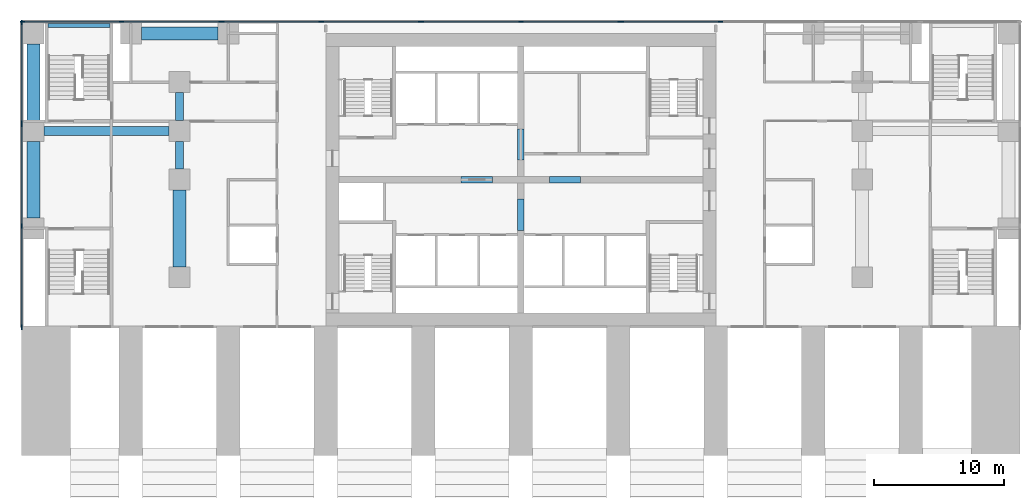
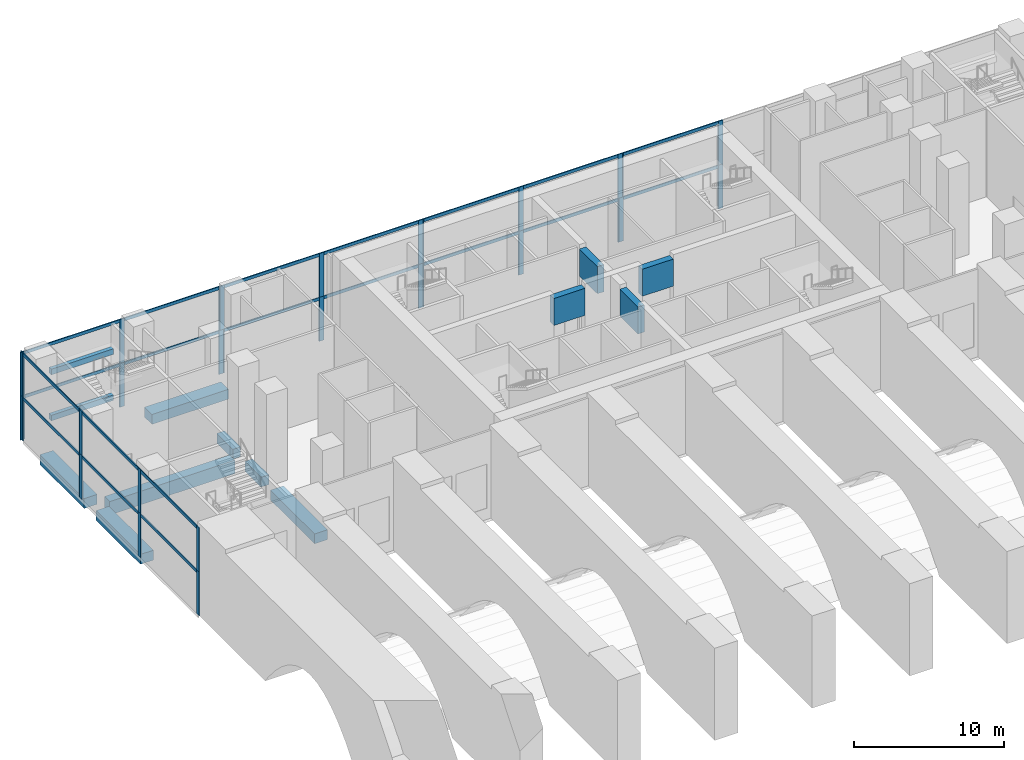
# One storey, part 2 of 15: 52 members, 13 beams, 12 elements without a shape of their own.
"""IFC4 building model written with IfcOpenShell, lengths in metres."""

from ifc_helpers import new_model, si_unit, direction, frame, origin, origin_2d, place, context, subcontext, project, spatial, rectangle, extrude, material, material_profile, profile_set, type_object, element, aggregate, save


model = new_model("IFC4")

# Units and contexts
model_context = context("Model", 3, precision=1e-05, world=origin(), true_north=direction((0.0, 1.0)))
body_context = subcontext(model_context, "Body", "Model", "MODEL_VIEW")
ifc_project = project(units=[si_unit("LENGTHUNIT", "METRE"), si_unit("AREAUNIT", "SQUARE_METRE"), si_unit("VOLUMEUNIT", "CUBIC_METRE"), si_unit("PLANEANGLEUNIT", "RADIAN"), si_unit("MASSUNIT", "GRAM", prefix="KILO")], contexts=[model_context])

# Site, building, storey
site_placement = place(None, origin())
site = spatial("IfcSite", under=ifc_project, at=site_placement, CompositionType="ELEMENT")
building_placement = place(site_placement, origin())
building = spatial("IfcBuilding", under=site, at=building_placement, Name="Pilkhan Gate Tower", CompositionType="ELEMENT")
storey_placement = place(building_placement, frame((0.0, 0.0, 16.5)))
storey = spatial("IfcBuildingStorey", under=building, at=storey_placement, Name="L02", CompositionType="ELEMENT", Elevation=16.5)

# Beams
ifc_material_1 = material(Name="Concrete C70/85", Category="concrete")
ifc_material_profile_1 = material_profile(ifc_material_1, rectangle(XDim=0.5, YDim=2.199951171875, at=origin_2d()), Name="RC 500x2200")
ifc_profile_set_1 = profile_set([ifc_material_profile_1], Name="Concrete C70/85")
beam_type_1 = type_object("IfcBeamType", Name="Coupling beam CB220 RC 500x2200 C70/85", PredefinedType="LINTEL", material=ifc_profile_set_1)
for number, where, z_axis, x_axis, name in (
    (1, (70.39990234375, 82.5, 6.050048828125), (1.0, 0.0, 0.0), (0.0, 1.0, 0.0), "Coupling beam 1 L02"),
    (2, (77.199951171875, 82.5, 6.050048828125), (1.0, 0.0, 0.0), (0.0, 1.0, 0.0), "Coupling beam 2 L02"),
):
    element("IfcBeam", number, at=place(storey_placement, frame(where, z_axis=z_axis, x_axis=x_axis)), inside=storey, type_object=beam_type_1, Name=name, PredefinedType="LINTEL", context=body_context, shape_type="SweptSolid", body=[
        extrude(rectangle(XDim=0.5, YDim=2.199951171875, at=origin_2d()), origin(), (0.0, 0.0, 1.0), 2.400146484375),
    ])
for number, where, z_axis, x_axis, name in (
    (3, (75.0, 78.60009765625, 6.050048828125), (0.0, 1.0, 0.0), (-1.0, 0.0, 0.0), "Coupling beam 3 L02"),
    (4, (75.0, 84.0, 6.050048828125), (0.0, 1.0, 0.0), (-1.0, 0.0, 0.0), "Coupling beam 4 L02"),
):
    element("IfcBeam", number, at=place(storey_placement, frame(where, z_axis=z_axis, x_axis=x_axis)), inside=storey, type_object=beam_type_1, Name=name, PredefinedType="LINTEL", context=body_context, shape_type="SweptSolid", body=[
        extrude(rectangle(XDim=0.5, YDim=2.199951171875, at=origin_2d()), origin(), (0.0, 0.0, 1.0), 2.39990234375),
    ])
ifc_material_2 = material(Name="Concrete C50/60", Category="concrete")
ifc_material_profile_2 = material_profile(ifc_material_2, rectangle(XDim=0.300048828125, YDim=0.449951171875, at=origin_2d()), Name="RC 300x450")
ifc_profile_set_2 = profile_set([ifc_material_profile_2], Name="Concrete C50/60")
beam_type_2 = type_object("IfcBeamType", Name="Landing support beam LB RC 300x450 C50/60", PredefinedType="BEAM", material=ifc_profile_set_2)
for number, where, z_axis, x_axis, name in (
    (5, (38.60498046875, 94.35009765625, 1.300048828125), (1.0, 0.0, 0.0), (0.0, 1.0, 0.0), "Landing support beam PS1-1 L02"),
    (6, (38.60498046875, 94.35009765625, 5.050048828125), (1.0, 0.0, 0.0), (0.0, 1.0, 0.0), "Landing support beam PS1-3 L02"),
):
    element("IfcBeam", number, at=place(storey_placement, frame(where, z_axis=z_axis, x_axis=x_axis)), inside=storey, type_object=beam_type_2, Name=name, PredefinedType="BEAM", context=body_context, shape_type="SweptSolid", body=[
        extrude(rectangle(XDim=0.300048828125, YDim=0.449951171875, at=origin_2d()), origin(), (0.0, 0.0, 1.0), 4.7900390625),
    ])

# Curtain wall, members
ifc_material_3 = material(Name="Pale anodised aluminium, clear low-iron laminated glazing", Category="aluminium")
curtain_wall_type = type_object("IfcCurtainWallType", Name="Podium unitised curtain wall CW-P", PredefinedType="USERDEFINED", material=ifc_material_3)
curtain_wall_1_placement = place(storey_placement, origin())
curtain_wall_1 = element("IfcCurtainWall", 7, at=curtain_wall_1_placement, inside=storey, type_object=curtain_wall_type, Name="Podium unitised curtain wall CW-P L02 N", ObjectType="UNITISED CURTAIN WALL", PredefinedType="USERDEFINED")
ifc_material_4 = material(Name="Pale anodised aluminium", Category="aluminium")
ifc_material_profile_3 = material_profile(ifc_material_4, rectangle(XDim=0.080078125, YDim=0.35009765625, at=origin_2d()), Name="Mullion 350x80")
ifc_profile_set_3 = profile_set([ifc_material_profile_3], Name="Pale anodised aluminium")
member_type_1 = type_object("IfcMemberType", Name="Mullion CW-P 350x80", PredefinedType="MULLION", material=ifc_profile_set_3)
member_1_placement = place(storey_placement, frame((36.64501953125, 94.64501953125, 0.0), z_axis=(0.0, 0.0, 1.0), x_axis=(0.0, 1.0, 0.0)))
member_1 = element("IfcMember", 8, at=member_1_placement, type_object=member_type_1, Name="CW-P mullion 1", PredefinedType="MULLION", context=body_context, shape_type="SweptSolid", body=[
    extrude(rectangle(XDim=0.080078125, YDim=0.35009765625, at=origin_2d()), origin(), (0.0, 0.0, 1.0), 3.574951171875),
])
member_2_placement = place(storey_placement, frame((44.283935546875, 94.64501953125, 0.0), z_axis=(0.0, 0.0, 1.0), x_axis=(0.0, 1.0, 0.0)))
member_2 = element("IfcMember", 9, at=member_2_placement, type_object=member_type_1, Name="CW-P mullion 2", PredefinedType="MULLION", context=body_context, shape_type="SweptSolid", body=[
    extrude(rectangle(XDim=0.080078125, YDim=0.35009765625, at=origin_2d()), origin(), (0.0, 0.0, 1.0), 3.574951171875),
])
member_3_placement = place(storey_placement, frame((51.923095703125, 94.64501953125, 0.0), z_axis=(0.0, 0.0, 1.0), x_axis=(0.0, 1.0, 0.0)))
member_3 = element("IfcMember", 10, at=member_3_placement, type_object=member_type_1, Name="CW-P mullion 3", PredefinedType="MULLION", context=body_context, shape_type="SweptSolid", body=[
    extrude(rectangle(XDim=0.080078125, YDim=0.35009765625, at=origin_2d()), origin(), (0.0, 0.0, 1.0), 3.574951171875),
])

curtain_wall_2_placement = place(storey_placement, origin())
curtain_wall_2 = element("IfcCurtainWall", 11, at=curtain_wall_2_placement, inside=storey, type_object=curtain_wall_type, Name="Podium unitised curtain wall CW-P L02 N", ObjectType="UNITISED CURTAIN WALL", PredefinedType="USERDEFINED")
member_4_placement = place(storey_placement, frame((52.0029296875, 94.64501953125, 0.0), z_axis=(0.0, 0.0, 1.0), x_axis=(0.0, 1.0, 0.0)))
member_4 = element("IfcMember", 12, at=member_4_placement, type_object=member_type_1, Name="CW-P mullion 1", PredefinedType="MULLION", context=body_context, shape_type="SweptSolid", body=[
    extrude(rectangle(XDim=0.080078125, YDim=0.35009765625, at=origin_2d()), origin(), (0.0, 0.0, 1.0), 3.574951171875),
])
member_5_placement = place(storey_placement, frame((59.64208984375, 94.64501953125, 0.0), z_axis=(0.0, 0.0, 1.0), x_axis=(0.0, 1.0, 0.0)))
member_5 = element("IfcMember", 13, at=member_5_placement, type_object=member_type_1, Name="CW-P mullion 2", PredefinedType="MULLION", context=body_context, shape_type="SweptSolid", body=[
    extrude(rectangle(XDim=0.080078125, YDim=0.35009765625, at=origin_2d()), origin(), (0.0, 0.0, 1.0), 3.574951171875),
])
member_6_placement = place(storey_placement, frame((67.281005859375, 94.64501953125, 0.0), z_axis=(0.0, 0.0, 1.0), x_axis=(0.0, 1.0, 0.0)))
member_6 = element("IfcMember", 14, at=member_6_placement, type_object=member_type_1, Name="CW-P mullion 3", PredefinedType="MULLION", context=body_context, shape_type="SweptSolid", body=[
    extrude(rectangle(XDim=0.080078125, YDim=0.35009765625, at=origin_2d()), origin(), (0.0, 0.0, 1.0), 3.574951171875),
])

curtain_wall_3_placement = place(storey_placement, origin())
curtain_wall_3 = element("IfcCurtainWall", 15, at=curtain_wall_3_placement, inside=storey, type_object=curtain_wall_type, Name="Podium unitised curtain wall CW-P L02 N", ObjectType="UNITISED CURTAIN WALL", PredefinedType="USERDEFINED")
member_7_placement = place(storey_placement, frame((67.361083984375, 94.64501953125, 0.0), z_axis=(0.0, 0.0, 1.0), x_axis=(0.0, 1.0, 0.0)))
member_7 = element("IfcMember", 16, at=member_7_placement, type_object=member_type_1, Name="CW-P mullion 1", PredefinedType="MULLION", context=body_context, shape_type="SweptSolid", body=[
    extrude(rectangle(XDim=0.080078125, YDim=0.35009765625, at=origin_2d()), origin(), (0.0, 0.0, 1.0), 3.574951171875),
])
member_8_placement = place(storey_placement, frame((75.0, 94.64501953125, 0.0), z_axis=(0.0, 0.0, 1.0), x_axis=(0.0, 1.0, 0.0)))
member_8 = element("IfcMember", 17, at=member_8_placement, type_object=member_type_1, Name="CW-P mullion 2", PredefinedType="MULLION", context=body_context, shape_type="SweptSolid", body=[
    extrude(rectangle(XDim=0.080078125, YDim=0.35009765625, at=origin_2d()), origin(), (0.0, 0.0, 1.0), 3.574951171875),
])
member_9_placement = place(storey_placement, frame((82.638916015625, 94.64501953125, 0.0), z_axis=(0.0, 0.0, 1.0), x_axis=(0.0, 1.0, 0.0)))
member_9 = element("IfcMember", 18, at=member_9_placement, type_object=member_type_1, Name="CW-P mullion 3", PredefinedType="MULLION", context=body_context, shape_type="SweptSolid", body=[
    extrude(rectangle(XDim=0.080078125, YDim=0.35009765625, at=origin_2d()), origin(), (0.0, 0.0, 1.0), 3.574951171875),
])

curtain_wall_4_placement = place(storey_placement, origin())
curtain_wall_4 = element("IfcCurtainWall", 19, at=curtain_wall_4_placement, inside=storey, type_object=curtain_wall_type, Name="Podium unitised curtain wall CW-P L02 N", ObjectType="UNITISED CURTAIN WALL", PredefinedType="USERDEFINED")
member_10_placement = place(storey_placement, frame((82.718994140625, 94.64501953125, 0.0), z_axis=(0.0, 0.0, 1.0), x_axis=(0.0, 1.0, 0.0)))
member_10 = element("IfcMember", 20, at=member_10_placement, type_object=member_type_1, Name="CW-P mullion 1", PredefinedType="MULLION", context=body_context, shape_type="SweptSolid", body=[
    extrude(rectangle(XDim=0.080078125, YDim=0.35009765625, at=origin_2d()), origin(), (0.0, 0.0, 1.0), 3.574951171875),
])
member_11_placement = place(storey_placement, frame((90.35791015625, 94.64501953125, 0.0), z_axis=(0.0, 0.0, 1.0), x_axis=(0.0, 1.0, 0.0)))
member_11 = element("IfcMember", 21, at=member_11_placement, type_object=member_type_1, Name="CW-P mullion 2", PredefinedType="MULLION", context=body_context, shape_type="SweptSolid", body=[
    extrude(rectangle(XDim=0.080078125, YDim=0.35009765625, at=origin_2d()), origin(), (0.0, 0.0, 1.0), 3.574951171875),
])

curtain_wall_5_placement = place(storey_placement, origin())
curtain_wall_5 = element("IfcCurtainWall", 22, at=curtain_wall_5_placement, inside=storey, type_object=curtain_wall_type, Name="Podium unitised curtain wall CW-P L02 N", ObjectType="UNITISED CURTAIN WALL", PredefinedType="USERDEFINED")
member_12_placement = place(storey_placement, frame((36.64501953125, 94.64501953125, 3.574951171875), z_axis=(0.0, 0.0, 1.0), x_axis=(0.0, 1.0, 0.0)))
member_12 = element("IfcMember", 23, at=member_12_placement, type_object=member_type_1, Name="CW-P mullion 1", PredefinedType="MULLION", context=body_context, shape_type="SweptSolid", body=[
    extrude(rectangle(XDim=0.080078125, YDim=0.35009765625, at=origin_2d()), origin(), (0.0, 0.0, 1.0), 3.574951171875),
])
member_13_placement = place(storey_placement, frame((44.283935546875, 94.64501953125, 3.574951171875), z_axis=(0.0, 0.0, 1.0), x_axis=(0.0, 1.0, 0.0)))
member_13 = element("IfcMember", 24, at=member_13_placement, type_object=member_type_1, Name="CW-P mullion 2", PredefinedType="MULLION", context=body_context, shape_type="SweptSolid", body=[
    extrude(rectangle(XDim=0.080078125, YDim=0.35009765625, at=origin_2d()), origin(), (0.0, 0.0, 1.0), 3.574951171875),
])
member_14_placement = place(storey_placement, frame((51.923095703125, 94.64501953125, 3.574951171875), z_axis=(0.0, 0.0, 1.0), x_axis=(0.0, 1.0, 0.0)))
member_14 = element("IfcMember", 25, at=member_14_placement, type_object=member_type_1, Name="CW-P mullion 3", PredefinedType="MULLION", context=body_context, shape_type="SweptSolid", body=[
    extrude(rectangle(XDim=0.080078125, YDim=0.35009765625, at=origin_2d()), origin(), (0.0, 0.0, 1.0), 3.574951171875),
])

curtain_wall_6_placement = place(storey_placement, origin())
curtain_wall_6 = element("IfcCurtainWall", 26, at=curtain_wall_6_placement, inside=storey, type_object=curtain_wall_type, Name="Podium unitised curtain wall CW-P L02 N", ObjectType="UNITISED CURTAIN WALL", PredefinedType="USERDEFINED")
member_15_placement = place(storey_placement, frame((52.0029296875, 94.64501953125, 3.574951171875), z_axis=(0.0, 0.0, 1.0), x_axis=(0.0, 1.0, 0.0)))
member_15 = element("IfcMember", 27, at=member_15_placement, type_object=member_type_1, Name="CW-P mullion 1", PredefinedType="MULLION", context=body_context, shape_type="SweptSolid", body=[
    extrude(rectangle(XDim=0.080078125, YDim=0.35009765625, at=origin_2d()), origin(), (0.0, 0.0, 1.0), 3.574951171875),
])
member_16_placement = place(storey_placement, frame((59.64208984375, 94.64501953125, 3.574951171875), z_axis=(0.0, 0.0, 1.0), x_axis=(0.0, 1.0, 0.0)))
member_16 = element("IfcMember", 28, at=member_16_placement, type_object=member_type_1, Name="CW-P mullion 2", PredefinedType="MULLION", context=body_context, shape_type="SweptSolid", body=[
    extrude(rectangle(XDim=0.080078125, YDim=0.35009765625, at=origin_2d()), origin(), (0.0, 0.0, 1.0), 3.574951171875),
])
member_17_placement = place(storey_placement, frame((67.281005859375, 94.64501953125, 3.574951171875), z_axis=(0.0, 0.0, 1.0), x_axis=(0.0, 1.0, 0.0)))
member_17 = element("IfcMember", 29, at=member_17_placement, type_object=member_type_1, Name="CW-P mullion 3", PredefinedType="MULLION", context=body_context, shape_type="SweptSolid", body=[
    extrude(rectangle(XDim=0.080078125, YDim=0.35009765625, at=origin_2d()), origin(), (0.0, 0.0, 1.0), 3.574951171875),
])

curtain_wall_7_placement = place(storey_placement, origin())
curtain_wall_7 = element("IfcCurtainWall", 30, at=curtain_wall_7_placement, inside=storey, type_object=curtain_wall_type, Name="Podium unitised curtain wall CW-P L02 N", ObjectType="UNITISED CURTAIN WALL", PredefinedType="USERDEFINED")
member_18_placement = place(storey_placement, frame((67.361083984375, 94.64501953125, 3.574951171875), z_axis=(0.0, 0.0, 1.0), x_axis=(0.0, 1.0, 0.0)))
member_18 = element("IfcMember", 31, at=member_18_placement, type_object=member_type_1, Name="CW-P mullion 1", PredefinedType="MULLION", context=body_context, shape_type="SweptSolid", body=[
    extrude(rectangle(XDim=0.080078125, YDim=0.35009765625, at=origin_2d()), origin(), (0.0, 0.0, 1.0), 3.574951171875),
])
member_19_placement = place(storey_placement, frame((75.0, 94.64501953125, 3.574951171875), z_axis=(0.0, 0.0, 1.0), x_axis=(0.0, 1.0, 0.0)))
member_19 = element("IfcMember", 32, at=member_19_placement, type_object=member_type_1, Name="CW-P mullion 2", PredefinedType="MULLION", context=body_context, shape_type="SweptSolid", body=[
    extrude(rectangle(XDim=0.080078125, YDim=0.35009765625, at=origin_2d()), origin(), (0.0, 0.0, 1.0), 3.574951171875),
])
member_20_placement = place(storey_placement, frame((82.638916015625, 94.64501953125, 3.574951171875), z_axis=(0.0, 0.0, 1.0), x_axis=(0.0, 1.0, 0.0)))
member_20 = element("IfcMember", 33, at=member_20_placement, type_object=member_type_1, Name="CW-P mullion 3", PredefinedType="MULLION", context=body_context, shape_type="SweptSolid", body=[
    extrude(rectangle(XDim=0.080078125, YDim=0.35009765625, at=origin_2d()), origin(), (0.0, 0.0, 1.0), 3.574951171875),
])

curtain_wall_8_placement = place(storey_placement, origin())
curtain_wall_8 = element("IfcCurtainWall", 34, at=curtain_wall_8_placement, inside=storey, type_object=curtain_wall_type, Name="Podium unitised curtain wall CW-P L02 N", ObjectType="UNITISED CURTAIN WALL", PredefinedType="USERDEFINED")
member_21_placement = place(storey_placement, frame((82.718994140625, 94.64501953125, 3.574951171875), z_axis=(0.0, 0.0, 1.0), x_axis=(0.0, 1.0, 0.0)))
member_21 = element("IfcMember", 35, at=member_21_placement, type_object=member_type_1, Name="CW-P mullion 1", PredefinedType="MULLION", context=body_context, shape_type="SweptSolid", body=[
    extrude(rectangle(XDim=0.080078125, YDim=0.35009765625, at=origin_2d()), origin(), (0.0, 0.0, 1.0), 3.574951171875),
])
member_22_placement = place(storey_placement, frame((90.35791015625, 94.64501953125, 3.574951171875), z_axis=(0.0, 0.0, 1.0), x_axis=(0.0, 1.0, 0.0)))
member_22 = element("IfcMember", 36, at=member_22_placement, type_object=member_type_1, Name="CW-P mullion 2", PredefinedType="MULLION", context=body_context, shape_type="SweptSolid", body=[
    extrude(rectangle(XDim=0.080078125, YDim=0.35009765625, at=origin_2d()), origin(), (0.0, 0.0, 1.0), 3.574951171875),
])

curtain_wall_9_placement = place(storey_placement, origin())
curtain_wall_9 = element("IfcCurtainWall", 37, at=curtain_wall_9_placement, inside=storey, type_object=curtain_wall_type, Name="Podium unitised curtain wall CW-P L02 W", ObjectType="UNITISED CURTAIN WALL", PredefinedType="USERDEFINED")
member_23_placement = place(storey_placement, frame((36.60498046875, 71.14501953125, 0.0), z_axis=(0.0, 0.0, 1.0), x_axis=(-1.0, 0.0, 0.0)))
member_23 = element("IfcMember", 38, at=member_23_placement, type_object=member_type_1, Name="CW-P mullion 1", PredefinedType="MULLION", context=body_context, shape_type="SweptSolid", body=[
    extrude(rectangle(XDim=0.080078125, YDim=0.35009765625, at=origin_2d()), origin(), (0.0, 0.0, 1.0), 3.574951171875),
])
member_24_placement = place(storey_placement, frame((36.60498046875, 78.95166015625, 0.0), z_axis=(0.0, 0.0, 1.0), x_axis=(-1.0, 0.0, 0.0)))
member_24 = element("IfcMember", 39, at=member_24_placement, type_object=member_type_1, Name="CW-P mullion 2", PredefinedType="MULLION", context=body_context, shape_type="SweptSolid", body=[
    extrude(rectangle(XDim=0.080078125, YDim=0.35009765625, at=origin_2d()), origin(), (0.0, 0.0, 1.0), 3.574951171875),
])
member_25_placement = place(storey_placement, frame((36.60498046875, 86.75830078125, 0.0), z_axis=(0.0, 0.0, 1.0), x_axis=(-1.0, 0.0, 0.0)))
member_25 = element("IfcMember", 40, at=member_25_placement, type_object=member_type_1, Name="CW-P mullion 3", PredefinedType="MULLION", context=body_context, shape_type="SweptSolid", body=[
    extrude(rectangle(XDim=0.080078125, YDim=0.35009765625, at=origin_2d()), origin(), (0.0, 0.0, 1.0), 3.574951171875),
])

curtain_wall_10_placement = place(storey_placement, origin())
curtain_wall_10 = element("IfcCurtainWall", 41, at=curtain_wall_10_placement, inside=storey, type_object=curtain_wall_type, Name="Podium unitised curtain wall CW-P L02 W", ObjectType="UNITISED CURTAIN WALL", PredefinedType="USERDEFINED")
member_26_placement = place(storey_placement, frame((36.60498046875, 86.83837890625, 0.0), z_axis=(0.0, 0.0, 1.0), x_axis=(-1.0, 0.0, 0.0)))
member_26 = element("IfcMember", 42, at=member_26_placement, type_object=member_type_1, Name="CW-P mullion 1", PredefinedType="MULLION", context=body_context, shape_type="SweptSolid", body=[
    extrude(rectangle(XDim=0.080078125, YDim=0.35009765625, at=origin_2d()), origin(), (0.0, 0.0, 1.0), 3.574951171875),
])
member_27_placement = place(storey_placement, frame((36.60498046875, 94.60498046875, 0.0), z_axis=(0.0, 0.0, 1.0), x_axis=(-1.0, 0.0, 0.0)))
member_27 = element("IfcMember", 43, at=member_27_placement, type_object=member_type_1, Name="CW-P mullion 2", PredefinedType="MULLION", context=body_context, shape_type="SweptSolid", body=[
    extrude(rectangle(XDim=0.080078125, YDim=0.35009765625, at=origin_2d()), origin(), (0.0, 0.0, 1.0), 3.574951171875),
])

curtain_wall_11_placement = place(storey_placement, origin())
curtain_wall_11 = element("IfcCurtainWall", 44, at=curtain_wall_11_placement, inside=storey, type_object=curtain_wall_type, Name="Podium unitised curtain wall CW-P L02 W", ObjectType="UNITISED CURTAIN WALL", PredefinedType="USERDEFINED")
member_28_placement = place(storey_placement, frame((36.60498046875, 71.14501953125, 3.574951171875), z_axis=(0.0, 0.0, 1.0), x_axis=(-1.0, 0.0, 0.0)))
member_28 = element("IfcMember", 45, at=member_28_placement, type_object=member_type_1, Name="CW-P mullion 1", PredefinedType="MULLION", context=body_context, shape_type="SweptSolid", body=[
    extrude(rectangle(XDim=0.080078125, YDim=0.35009765625, at=origin_2d()), origin(), (0.0, 0.0, 1.0), 3.574951171875),
])
member_29_placement = place(storey_placement, frame((36.60498046875, 78.95166015625, 3.574951171875), z_axis=(0.0, 0.0, 1.0), x_axis=(-1.0, 0.0, 0.0)))
member_29 = element("IfcMember", 46, at=member_29_placement, type_object=member_type_1, Name="CW-P mullion 2", PredefinedType="MULLION", context=body_context, shape_type="SweptSolid", body=[
    extrude(rectangle(XDim=0.080078125, YDim=0.35009765625, at=origin_2d()), origin(), (0.0, 0.0, 1.0), 3.574951171875),
])
member_30_placement = place(storey_placement, frame((36.60498046875, 86.75830078125, 3.574951171875), z_axis=(0.0, 0.0, 1.0), x_axis=(-1.0, 0.0, 0.0)))
member_30 = element("IfcMember", 47, at=member_30_placement, type_object=member_type_1, Name="CW-P mullion 3", PredefinedType="MULLION", context=body_context, shape_type="SweptSolid", body=[
    extrude(rectangle(XDim=0.080078125, YDim=0.35009765625, at=origin_2d()), origin(), (0.0, 0.0, 1.0), 3.574951171875),
])

curtain_wall_12_placement = place(storey_placement, origin())
curtain_wall_12 = element("IfcCurtainWall", 48, at=curtain_wall_12_placement, inside=storey, type_object=curtain_wall_type, Name="Podium unitised curtain wall CW-P L02 W", ObjectType="UNITISED CURTAIN WALL", PredefinedType="USERDEFINED")
member_31_placement = place(storey_placement, frame((36.60498046875, 86.83837890625, 3.574951171875), z_axis=(0.0, 0.0, 1.0), x_axis=(-1.0, 0.0, 0.0)))
member_31 = element("IfcMember", 49, at=member_31_placement, type_object=member_type_1, Name="CW-P mullion 1", PredefinedType="MULLION", context=body_context, shape_type="SweptSolid", body=[
    extrude(rectangle(XDim=0.080078125, YDim=0.35009765625, at=origin_2d()), origin(), (0.0, 0.0, 1.0), 3.574951171875),
])
member_32_placement = place(storey_placement, frame((36.60498046875, 94.60498046875, 3.574951171875), z_axis=(0.0, 0.0, 1.0), x_axis=(-1.0, 0.0, 0.0)))
member_32 = element("IfcMember", 50, at=member_32_placement, type_object=member_type_1, Name="CW-P mullion 2", PredefinedType="MULLION", context=body_context, shape_type="SweptSolid", body=[
    extrude(rectangle(XDim=0.080078125, YDim=0.35009765625, at=origin_2d()), origin(), (0.0, 0.0, 1.0), 3.574951171875),
])

# Beams
ifc_material_profile_4 = material_profile(ifc_material_2, rectangle(XDim=0.699951171875, YDim=1.10009765625, at=origin_2d()), Name="RC 700x1100")
ifc_profile_set_4 = profile_set([ifc_material_profile_4], Name="Concrete C50/60")
beam_type_3 = type_object("IfcBeamType", Name="Podium girder PG110 RC 700x1100 C50/60", PredefinedType="BEAM", material=ifc_profile_set_4)
beam_placement = place(storey_placement, frame((38.300048828125, 86.25, -0.89990234375), z_axis=(1.0, 0.0, 0.0), x_axis=(0.0, 1.0, 0.0)))
element("IfcBeam", 51, at=beam_placement, inside=storey, type_object=beam_type_3, Name="Podium beam 3 L02", PredefinedType="BEAM", context=body_context, shape_type="SweptSolid", body=[
    extrude(rectangle(XDim=0.699951171875, YDim=1.10009765625, at=origin_2d()), origin(), (0.0, 0.0, 1.0), 9.64990234375),
])
ifc_material_profile_5 = material_profile(ifc_material_2, rectangle(XDim=1.0, YDim=0.800048828125, at=origin_2d()), Name="RC 1000x800")
ifc_profile_set_5 = profile_set([ifc_material_profile_5], Name="Concrete C50/60")
beam_type_4 = type_object("IfcBeamType", Name="Podium joist PJ80 RC 1000x800 C50/60", PredefinedType="JOIST", material=ifc_profile_set_5)
for number, where, z_axis, x_axis, name in (
    (52, (37.5, 79.550048828125, -0.75), (0.0, 1.0, 0.0), (-1.0, 0.0, 0.0), "Podium beam 1 L02"),
    (53, (37.5, 87.050048828125, -0.75), (0.0, 1.0, 0.0), (-1.0, 0.0, 0.0), "Podium beam 2 L02"),
    (54, (45.800048828125, 93.75, -0.75), (1.0, 0.0, 0.0), (0.0, 1.0, 0.0), "Podium beam 4 L02"),
    (55, (48.75, 75.800048828125, -0.75), (0.0, 1.0, 0.0), (-1.0, 0.0, 0.0), "Podium beam 5 L02"),
):
    element("IfcBeam", number, at=place(storey_placement, frame(where, z_axis=z_axis, x_axis=x_axis)), inside=storey, type_object=beam_type_4, Name=name, PredefinedType="JOIST", context=body_context, shape_type="SweptSolid", body=[
        extrude(rectangle(XDim=1.0, YDim=0.800048828125, at=origin_2d()), origin(), (0.0, 0.0, 1.0), 5.89990234375),
    ])
ifc_material_profile_6 = material_profile(ifc_material_2, rectangle(XDim=0.60009765625, YDim=0.800048828125, at=origin_2d()), Name="RC 600x800")
ifc_profile_set_6 = profile_set([ifc_material_profile_6], Name="Concrete C50/60")
beam_type_5 = type_object("IfcBeamType", Name="Podium joist PJ81 RC 600x800 C50/60", PredefinedType="JOIST", material=ifc_profile_set_6)
for number, where, z_axis, x_axis, name in (
    (56, (48.75, 83.300048828125, -0.75), (0.0, 1.0, 0.0), (-1.0, 0.0, 0.0), "Podium beam 6 L02"),
    (57, (48.75, 87.050048828125, -0.75), (0.0, 1.0, 0.0), (-1.0, 0.0, 0.0), "Podium beam 7 L02"),
):
    element("IfcBeam", number, at=place(storey_placement, frame(where, z_axis=z_axis, x_axis=x_axis)), inside=storey, type_object=beam_type_5, Name=name, PredefinedType="JOIST", context=body_context, shape_type="SweptSolid", body=[
        extrude(rectangle(XDim=0.60009765625, YDim=0.800048828125, at=origin_2d()), origin(), (0.0, 0.0, 1.0), 2.14990234375),
    ])

# Member
ifc_material_profile_7 = material_profile(ifc_material_4, rectangle(XDim=0.080078125, YDim=0.25, at=origin_2d()), Name="Transom 250x80")
ifc_profile_set_7 = profile_set([ifc_material_profile_7], Name="Pale anodised aluminium")
member_type_2 = type_object("IfcMemberType", Name="Transom CW-P 250x80", PredefinedType="USERDEFINED", material=ifc_profile_set_7)
member_33_placement = place(storey_placement, frame((36.68505859375, 94.64501953125, 3.449951171875), z_axis=(1.0, 0.0, 0.0), x_axis=(0.0, 1.0, 0.0)))
member_33 = element("IfcMember", 58, at=member_33_placement, type_object=member_type_2, Name="CW-P transom 1", ObjectType="TRANSOM", PredefinedType="USERDEFINED", context=body_context, shape_type="SweptSolid", body=[
    extrude(rectangle(XDim=0.080078125, YDim=0.25, at=origin_2d()), origin(), (0.0, 0.0, 1.0), 7.558837890625),
])

member_34_placement = place(storey_placement, frame((44.323974609375, 94.64501953125, 3.449951171875), z_axis=(1.0, 0.0, 0.0), x_axis=(0.0, 1.0, 0.0)))
member_34 = element("IfcMember", 59, at=member_34_placement, type_object=member_type_2, Name="CW-P transom 2", ObjectType="TRANSOM", PredefinedType="USERDEFINED", context=body_context, shape_type="SweptSolid", body=[
    extrude(rectangle(XDim=0.080078125, YDim=0.25, at=origin_2d()), origin(), (0.0, 0.0, 1.0), 7.55908203125),
])

aggregate(curtain_wall_1, [member_1, member_2, member_3, member_33, member_34])

member_35_placement = place(storey_placement, frame((52.04296875, 94.64501953125, 3.449951171875), z_axis=(1.0, 0.0, 0.0), x_axis=(0.0, 1.0, 0.0)))
member_35 = element("IfcMember", 60, at=member_35_placement, type_object=member_type_2, Name="CW-P transom 1", ObjectType="TRANSOM", PredefinedType="USERDEFINED", context=body_context, shape_type="SweptSolid", body=[
    extrude(rectangle(XDim=0.080078125, YDim=0.25, at=origin_2d()), origin(), (0.0, 0.0, 1.0), 7.55908203125),
])

member_36_placement = place(storey_placement, frame((59.681884765625, 94.64501953125, 3.449951171875), z_axis=(1.0, 0.0, 0.0), x_axis=(0.0, 1.0, 0.0)))
member_36 = element("IfcMember", 61, at=member_36_placement, type_object=member_type_2, Name="CW-P transom 2", ObjectType="TRANSOM", PredefinedType="USERDEFINED", context=body_context, shape_type="SweptSolid", body=[
    extrude(rectangle(XDim=0.080078125, YDim=0.25, at=origin_2d()), origin(), (0.0, 0.0, 1.0), 7.55908203125),
])

aggregate(curtain_wall_2, [member_4, member_5, member_6, member_35, member_36])

member_37_placement = place(storey_placement, frame((67.40087890625, 94.64501953125, 3.449951171875), z_axis=(1.0, 0.0, 0.0), x_axis=(0.0, 1.0, 0.0)))
member_37 = element("IfcMember", 62, at=member_37_placement, type_object=member_type_2, Name="CW-P transom 1", ObjectType="TRANSOM", PredefinedType="USERDEFINED", context=body_context, shape_type="SweptSolid", body=[
    extrude(rectangle(XDim=0.080078125, YDim=0.25, at=origin_2d()), origin(), (0.0, 0.0, 1.0), 7.55908203125),
])

member_38_placement = place(storey_placement, frame((75.0400390625, 94.64501953125, 3.449951171875), z_axis=(1.0, 0.0, 0.0), x_axis=(0.0, 1.0, 0.0)))
member_38 = element("IfcMember", 63, at=member_38_placement, type_object=member_type_2, Name="CW-P transom 2", ObjectType="TRANSOM", PredefinedType="USERDEFINED", context=body_context, shape_type="SweptSolid", body=[
    extrude(rectangle(XDim=0.080078125, YDim=0.25, at=origin_2d()), origin(), (0.0, 0.0, 1.0), 7.55908203125),
])

aggregate(curtain_wall_3, [member_7, member_8, member_9, member_37, member_38])

member_39_placement = place(storey_placement, frame((82.759033203125, 94.64501953125, 3.449951171875), z_axis=(1.0, 0.0, 0.0), x_axis=(0.0, 1.0, 0.0)))
member_39 = element("IfcMember", 64, at=member_39_placement, type_object=member_type_2, Name="CW-P transom 1", ObjectType="TRANSOM", PredefinedType="USERDEFINED", context=body_context, shape_type="SweptSolid", body=[
    extrude(rectangle(XDim=0.080078125, YDim=0.25, at=origin_2d()), origin(), (0.0, 0.0, 1.0), 7.55908203125),
])

aggregate(curtain_wall_4, [member_10, member_11, member_39])

member_40_placement = place(storey_placement, frame((36.68505859375, 94.64501953125, 7.02490234375), z_axis=(1.0, 0.0, 0.0), x_axis=(0.0, 1.0, 0.0)))
member_40 = element("IfcMember", 65, at=member_40_placement, type_object=member_type_2, Name="CW-P transom 1", ObjectType="TRANSOM", PredefinedType="USERDEFINED", context=body_context, shape_type="SweptSolid", body=[
    extrude(rectangle(XDim=0.080078125, YDim=0.25, at=origin_2d()), origin(), (0.0, 0.0, 1.0), 7.558837890625),
])

member_41_placement = place(storey_placement, frame((44.323974609375, 94.64501953125, 7.02490234375), z_axis=(1.0, 0.0, 0.0), x_axis=(0.0, 1.0, 0.0)))
member_41 = element("IfcMember", 66, at=member_41_placement, type_object=member_type_2, Name="CW-P transom 2", ObjectType="TRANSOM", PredefinedType="USERDEFINED", context=body_context, shape_type="SweptSolid", body=[
    extrude(rectangle(XDim=0.080078125, YDim=0.25, at=origin_2d()), origin(), (0.0, 0.0, 1.0), 7.55908203125),
])

aggregate(curtain_wall_5, [member_12, member_13, member_14, member_40, member_41])

member_42_placement = place(storey_placement, frame((52.04296875, 94.64501953125, 7.02490234375), z_axis=(1.0, 0.0, 0.0), x_axis=(0.0, 1.0, 0.0)))
member_42 = element("IfcMember", 67, at=member_42_placement, type_object=member_type_2, Name="CW-P transom 1", ObjectType="TRANSOM", PredefinedType="USERDEFINED", context=body_context, shape_type="SweptSolid", body=[
    extrude(rectangle(XDim=0.080078125, YDim=0.25, at=origin_2d()), origin(), (0.0, 0.0, 1.0), 7.55908203125),
])

member_43_placement = place(storey_placement, frame((59.681884765625, 94.64501953125, 7.02490234375), z_axis=(1.0, 0.0, 0.0), x_axis=(0.0, 1.0, 0.0)))
member_43 = element("IfcMember", 68, at=member_43_placement, type_object=member_type_2, Name="CW-P transom 2", ObjectType="TRANSOM", PredefinedType="USERDEFINED", context=body_context, shape_type="SweptSolid", body=[
    extrude(rectangle(XDim=0.080078125, YDim=0.25, at=origin_2d()), origin(), (0.0, 0.0, 1.0), 7.55908203125),
])

aggregate(curtain_wall_6, [member_15, member_16, member_17, member_42, member_43])

member_44_placement = place(storey_placement, frame((67.40087890625, 94.64501953125, 7.02490234375), z_axis=(1.0, 0.0, 0.0), x_axis=(0.0, 1.0, 0.0)))
member_44 = element("IfcMember", 69, at=member_44_placement, type_object=member_type_2, Name="CW-P transom 1", ObjectType="TRANSOM", PredefinedType="USERDEFINED", context=body_context, shape_type="SweptSolid", body=[
    extrude(rectangle(XDim=0.080078125, YDim=0.25, at=origin_2d()), origin(), (0.0, 0.0, 1.0), 7.55908203125),
])

member_45_placement = place(storey_placement, frame((75.0400390625, 94.64501953125, 7.02490234375), z_axis=(1.0, 0.0, 0.0), x_axis=(0.0, 1.0, 0.0)))
member_45 = element("IfcMember", 70, at=member_45_placement, type_object=member_type_2, Name="CW-P transom 2", ObjectType="TRANSOM", PredefinedType="USERDEFINED", context=body_context, shape_type="SweptSolid", body=[
    extrude(rectangle(XDim=0.080078125, YDim=0.25, at=origin_2d()), origin(), (0.0, 0.0, 1.0), 7.55908203125),
])

aggregate(curtain_wall_7, [member_18, member_19, member_20, member_44, member_45])

member_46_placement = place(storey_placement, frame((82.759033203125, 94.64501953125, 7.02490234375), z_axis=(1.0, 0.0, 0.0), x_axis=(0.0, 1.0, 0.0)))
member_46 = element("IfcMember", 71, at=member_46_placement, type_object=member_type_2, Name="CW-P transom 1", ObjectType="TRANSOM", PredefinedType="USERDEFINED", context=body_context, shape_type="SweptSolid", body=[
    extrude(rectangle(XDim=0.080078125, YDim=0.25, at=origin_2d()), origin(), (0.0, 0.0, 1.0), 7.55908203125),
])

aggregate(curtain_wall_8, [member_21, member_22, member_46])

member_47_placement = place(storey_placement, frame((36.60498046875, 71.18505859375, 3.449951171875), z_axis=(0.0, 1.0, 0.0), x_axis=(-1.0, 0.0, 0.0)))
member_47 = element("IfcMember", 72, at=member_47_placement, type_object=member_type_2, Name="CW-P transom 1", ObjectType="TRANSOM", PredefinedType="USERDEFINED", context=body_context, shape_type="SweptSolid", body=[
    extrude(rectangle(XDim=0.080078125, YDim=0.25, at=origin_2d()), origin(), (0.0, 0.0, 1.0), 7.7265625),
])

member_48_placement = place(storey_placement, frame((36.60498046875, 78.99169921875, 3.449951171875), z_axis=(0.0, 1.0, 0.0), x_axis=(-1.0, 0.0, 0.0)))
member_48 = element("IfcMember", 73, at=member_48_placement, type_object=member_type_2, Name="CW-P transom 2", ObjectType="TRANSOM", PredefinedType="USERDEFINED", context=body_context, shape_type="SweptSolid", body=[
    extrude(rectangle(XDim=0.080078125, YDim=0.25, at=origin_2d()), origin(), (0.0, 0.0, 1.0), 7.7265625),
])

aggregate(curtain_wall_9, [member_23, member_24, member_25, member_47, member_48])

member_49_placement = place(storey_placement, frame((36.60498046875, 86.87841796875, 3.449951171875), z_axis=(0.0, 1.0, 0.0), x_axis=(-1.0, 0.0, 0.0)))
member_49 = element("IfcMember", 74, at=member_49_placement, type_object=member_type_2, Name="CW-P transom 1", ObjectType="TRANSOM", PredefinedType="USERDEFINED", context=body_context, shape_type="SweptSolid", body=[
    extrude(rectangle(XDim=0.080078125, YDim=0.25, at=origin_2d()), origin(), (0.0, 0.0, 1.0), 7.6865234375),
])

aggregate(curtain_wall_10, [member_26, member_27, member_49])

member_50_placement = place(storey_placement, frame((36.60498046875, 71.18505859375, 7.02490234375), z_axis=(0.0, 1.0, 0.0), x_axis=(-1.0, 0.0, 0.0)))
member_50 = element("IfcMember", 75, at=member_50_placement, type_object=member_type_2, Name="CW-P transom 1", ObjectType="TRANSOM", PredefinedType="USERDEFINED", context=body_context, shape_type="SweptSolid", body=[
    extrude(rectangle(XDim=0.080078125, YDim=0.25, at=origin_2d()), origin(), (0.0, 0.0, 1.0), 7.7265625),
])

member_51_placement = place(storey_placement, frame((36.60498046875, 78.99169921875, 7.02490234375), z_axis=(0.0, 1.0, 0.0), x_axis=(-1.0, 0.0, 0.0)))
member_51 = element("IfcMember", 76, at=member_51_placement, type_object=member_type_2, Name="CW-P transom 2", ObjectType="TRANSOM", PredefinedType="USERDEFINED", context=body_context, shape_type="SweptSolid", body=[
    extrude(rectangle(XDim=0.080078125, YDim=0.25, at=origin_2d()), origin(), (0.0, 0.0, 1.0), 7.7265625),
])

aggregate(curtain_wall_11, [member_28, member_29, member_30, member_50, member_51])

member_52_placement = place(storey_placement, frame((36.60498046875, 86.87841796875, 7.02490234375), z_axis=(0.0, 1.0, 0.0), x_axis=(-1.0, 0.0, 0.0)))
member_52 = element("IfcMember", 77, at=member_52_placement, type_object=member_type_2, Name="CW-P transom 1", ObjectType="TRANSOM", PredefinedType="USERDEFINED", context=body_context, shape_type="SweptSolid", body=[
    extrude(rectangle(XDim=0.080078125, YDim=0.25, at=origin_2d()), origin(), (0.0, 0.0, 1.0), 7.6865234375),
])

aggregate(curtain_wall_12, [member_31, member_32, member_52])

save(model, "model.ifc")
